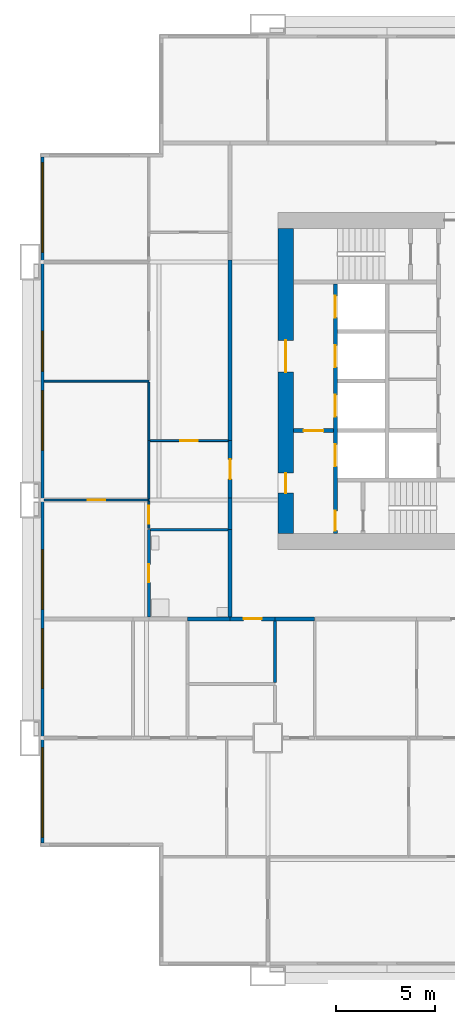
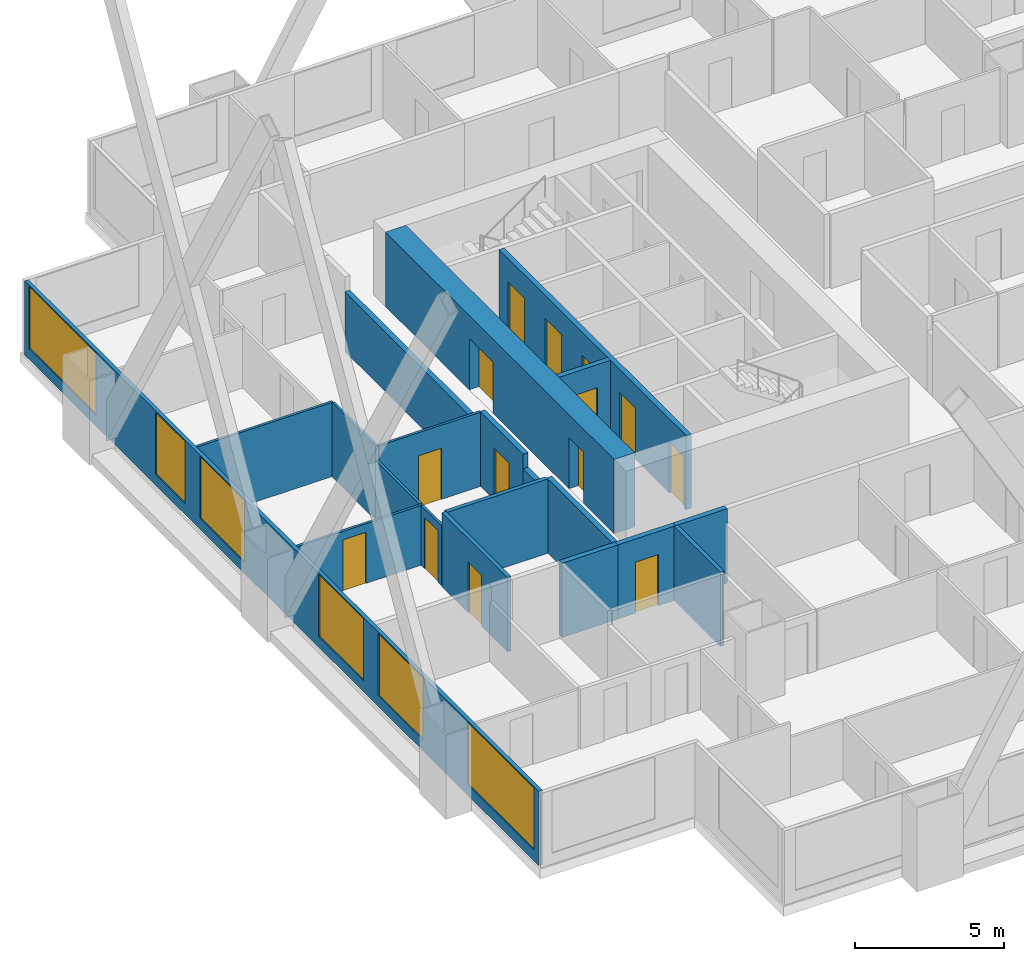
# One storey, part 3 of 13: 20 walls, 14 doors, 6 windows, 20 openings.
"""IFC4 building model written with IfcOpenShell, lengths in metres."""

from ifc_helpers import new_model, si_unit, direction, frame, frame_2d, origin, place, context, subcontext, project, spatial, rectangle, extrude, material, layer, layer_set, type_object, element, fill, save


model = new_model("IFC4")

# Units and contexts
model_context = context("Model", 3, precision=1e-05, world=origin(), true_north=direction((0.0, 1.0)))
body_context = subcontext(model_context, "Body", "Model", "MODEL_VIEW")
ifc_project = project(units=[si_unit("LENGTHUNIT", "METRE"), si_unit("AREAUNIT", "SQUARE_METRE"), si_unit("VOLUMEUNIT", "CUBIC_METRE"), si_unit("PLANEANGLEUNIT", "RADIAN"), si_unit("MASSUNIT", "GRAM", prefix="KILO")], contexts=[model_context])

# Site, building, storey
site_placement = place(None, origin())
site = spatial("IfcSite", under=ifc_project, at=site_placement, CompositionType="ELEMENT")
building_placement = place(site_placement, origin())
building = spatial("IfcBuilding", under=site, at=building_placement, Name="Kitamizu Gate Tower and Museum", CompositionType="ELEMENT")
storey_placement = place(building_placement, frame((0.0, 0.0, 50.699951171875)))
storey = spatial("IfcBuildingStorey", under=building, at=storey_placement, Name="L11", CompositionType="ELEMENT", Elevation=50.699951171875)

# Wall, openings, doors
ifc_material_1 = material(Name="Concrete Fc60", Category="concrete")
ifc_layer_1 = layer(ifc_material_1, 0.800048828125)
ifc_layer_set_1 = layer_set([ifc_layer_1], Name="Concrete Fc60")
wall_type_1 = type_object("IfcWallType", Name="Core wall 800", PredefinedType="SHEAR", material=ifc_layer_set_1)
wall_1_placement = place(storey_placement, frame((12.89990234375, 22.300048828125, 0.0), z_axis=(0.0, 0.0, 1.0), x_axis=(0.0, 1.0, 0.0)))
wall_1 = element("IfcWall", 1, at=wall_1_placement, inside=storey, type_object=wall_type_1, Name="Core wall WOUT", PredefinedType="SHEAR", context=body_context, shape_type="SweptSolid", body=[
    extrude(rectangle(XDim=15.39990234375, YDim=0.800048828125, at=frame_2d((7.699951171875, 0.0))), origin(), (0.0, 0.0, 1.0), 3.050048828125),
])
opening_1_placement = place(wall_1_placement, frame((8.14990234375, 0.0, 0.0)))
opening_1 = element("IfcOpeningElement", 2, at=opening_1_placement, cuts=wall_1, Name="Opening L11-081", PredefinedType="OPENING", context=body_context, shape_type="SweptSolid", body=[
    extrude(rectangle(XDim=1.60009765625, YDim=2.10009765625, at=frame_2d((0.800048828125, 1.050048828125))), frame((0.0, 0.41015625, 0.0), z_axis=(0.0, -1.0, 0.0), x_axis=(1.0, 0.0, 0.0)), (0.0, 0.0, 1.0), 0.820068359375),
])
opening_2_placement = place(wall_1_placement, frame((2.050048828125, 0.0, 0.0)))
opening_2 = element("IfcOpeningElement", 3, at=opening_2_placement, cuts=wall_1, Name="Opening L11-082", PredefinedType="OPENING", context=body_context, shape_type="SweptSolid", body=[
    extrude(rectangle(XDim=1.0, YDim=2.10009765625, at=frame_2d((0.5, 1.050048828125))), frame((0.0, 0.41015625, 0.0), z_axis=(0.0, -1.0, 0.0), x_axis=(1.0, 0.0, 0.0)), (0.0, 0.0, 1.0), 0.820068359375),
])
ifc_material_2 = material(Name="Timber door set", Category="wood")
door_type_1 = type_object("IfcDoorType", Name="Entrance door 1600", OperationType="DOUBLE_DOOR_SINGLE_SWING", PredefinedType="DOOR", material=ifc_material_2)
door_1_placement = place(opening_1_placement, origin())
door_1 = element("IfcDoor", 4, at=door_1_placement, inside=storey, type_object=door_type_1, Name="Lobby door L11-081", OperationType="DOUBLE_DOOR_SINGLE_SWING", OverallHeight=2.10009765625, OverallWidth=1.60009765625, PredefinedType="DOOR", context=body_context, shape_type="SweptSolid", body=[
    extrude(rectangle(XDim=1.60009765625, YDim=2.10009765625, at=frame_2d((0.800048828125, 1.050048828125))), frame((0.0, 0.02490234375, 0.0), z_axis=(0.0, -1.0, 0.0), x_axis=(1.0, 0.0, 0.0)), (0.0, 0.0, 1.0), 0.050048828125),
])
fill(opening_1, door_1)
ifc_material_3 = material(Name="Hollow metal door set")
door_type_2 = type_object("IfcDoorType", Name="Fire door 1000", OperationType="NOTDEFINED", PredefinedType="DOOR", material=ifc_material_3)
door_2_placement = place(opening_2_placement, frame((1.0, 0.0, 0.0), x_axis=(-1.0, 0.0, 0.0)))
door_2 = element("IfcDoor", 5, at=door_2_placement, inside=storey, type_object=door_type_2, Name="Fire-fighting lobby door L11-082", OperationType="SINGLE_SWING_RIGHT", OverallHeight=2.10009765625, OverallWidth=1.0, PredefinedType="DOOR", context=body_context, shape_type="SweptSolid", body=[
    extrude(rectangle(XDim=1.0, YDim=2.10009765625, at=frame_2d((0.5, 1.050048828125))), frame((0.0, 0.02490234375, 0.0), z_axis=(0.0, -1.0, 0.0), x_axis=(1.0, 0.0, 0.0)), (0.0, 0.0, 1.0), 0.050048828125),
])
fill(opening_2, door_2)

# Wall, opening, door
ifc_material_4 = material(Name="Gypsum board on galvanised stud")
ifc_layer_2 = layer(ifc_material_4, 0.10009765625)
ifc_layer_set_2 = layer_set([ifc_layer_2], Name="Gypsum board on galvanised stud")
wall_type_2 = type_object("IfcWallType", Name="Partition 100 NOT RATED", PredefinedType="PARTITIONING", material=ifc_layer_set_2)
wall_2_placement = place(storey_placement, frame((6.0, 24.0, 0.0), z_axis=(0.0, 0.0, 1.0), x_axis=(-1.0, 0.0, 0.0)))
wall_2 = element("IfcWall", 6, at=wall_2_placement, inside=storey, type_object=wall_type_2, Name="Partition L11-156", PredefinedType="PARTITIONING", context=body_context, shape_type="SweptSolid", body=[
    extrude(rectangle(XDim=5.280029296875, YDim=0.10009765625, at=frame_2d((2.64013671875, 0.0))), origin(), (0.0, 0.0, 1.0), 2.449951171875),
])
opening_3_placement = place(wall_2_placement, frame((2.18994140625, 0.0, 0.0)))
opening_3 = element("IfcOpeningElement", 7, at=opening_3_placement, cuts=wall_2, Name="Opening L11-061", PredefinedType="OPENING", context=body_context, shape_type="SweptSolid", body=[
    extrude(rectangle(XDim=0.89990234375, YDim=2.10009765625, at=frame_2d((0.449951171875, 1.050048828125))), frame((0.0, 0.06005859375, 0.0), z_axis=(0.0, -1.0, 0.0), x_axis=(1.0, 0.0, 0.0)), (0.0, 0.0, 1.0), 0.1201171875),
])
ifc_material_5 = material(Name="Timber door set", Category="wood")
door_type_3 = type_object("IfcDoorType", Name="Room door 900", OperationType="NOTDEFINED", PredefinedType="DOOR", material=ifc_material_5)
door_3_placement = place(opening_3_placement, origin())
door_3 = element("IfcDoor", 8, at=door_3_placement, inside=storey, type_object=door_type_3, Name="Door L11-061", OperationType="SINGLE_SWING_LEFT", OverallHeight=2.10009765625, OverallWidth=0.89990234375, PredefinedType="DOOR", context=body_context, shape_type="SweptSolid", body=[
    extrude(rectangle(XDim=0.89990234375, YDim=2.10009765625, at=frame_2d((0.449951171875, 1.050048828125))), frame((0.0, 0.02490234375, 0.0), z_axis=(0.0, -1.0, 0.0), x_axis=(1.0, 0.0, 0.0)), (0.0, 0.0, 1.0), 0.050048828125),
])
fill(opening_3, door_3)

wall_3_placement = place(storey_placement, frame((6.0, 22.574951171875, 0.0), z_axis=(0.0, 0.0, 1.0), x_axis=(0.0, 1.0, 0.0)))
wall_3 = element("IfcWall", 9, at=wall_3_placement, inside=storey, type_object=wall_type_2, Name="Partition L11-158", PredefinedType="PARTITIONING", context=body_context, shape_type="SweptSolid", body=[
    extrude(rectangle(XDim=1.375, YDim=0.10009765625, at=frame_2d((0.6875, 0.0))), origin(), (0.0, 0.0, 1.0), 2.449951171875),
])
opening_4_placement = place(wall_3_placement, frame((0.237548828125, 0.0, 0.0)))
opening_4 = element("IfcOpeningElement", 10, at=opening_4_placement, cuts=wall_3, Name="Opening L11-056", PredefinedType="OPENING", context=body_context, shape_type="SweptSolid", body=[
    extrude(rectangle(XDim=0.89990234375, YDim=2.10009765625, at=frame_2d((0.449951171875, 1.050048828125))), frame((0.0, 0.06005859375, 0.0), z_axis=(0.0, -1.0, 0.0), x_axis=(1.0, 0.0, 0.0)), (0.0, 0.0, 1.0), 0.1201171875),
])
door_4_placement = place(opening_4_placement, origin())
door_4 = element("IfcDoor", 11, at=door_4_placement, inside=storey, type_object=door_type_3, Name="Door L11-056", OperationType="SINGLE_SWING_LEFT", OverallHeight=2.10009765625, OverallWidth=0.89990234375, PredefinedType="DOOR", context=body_context, shape_type="SweptSolid", body=[
    extrude(rectangle(XDim=0.89990234375, YDim=2.10009765625, at=frame_2d((0.449951171875, 1.050048828125))), frame((0.0, 0.02490234375, 0.0), z_axis=(0.0, -1.0, 0.0), x_axis=(1.0, 0.0, 0.0)), (0.0, 0.0, 1.0), 0.050048828125),
])
fill(opening_4, door_4)

# Walls
wall_4_placement = place(storey_placement, frame((6.0, 30.0, 0.0), z_axis=(0.0, 0.0, 1.0), x_axis=(-1.0, 0.0, 0.0)))
element("IfcWall", 12, at=wall_4_placement, inside=storey, type_object=wall_type_2, Name="Partition L11-159", PredefinedType="PARTITIONING", context=body_context, shape_type="SweptSolid", body=[
    extrude(rectangle(XDim=5.280029296875, YDim=0.10009765625, at=frame_2d((2.64013671875, 0.0))), origin(), (0.0, 0.0, 1.0), 3.050048828125),
])
wall_5_placement = place(storey_placement, frame((6.0, 24.050048828125, 0.0), z_axis=(0.0, 0.0, 1.0), x_axis=(0.0, 1.0, 0.0)))
element("IfcWall", 13, at=wall_5_placement, inside=storey, type_object=wall_type_2, Name="Partition L11-160", PredefinedType="PARTITIONING", context=body_context, shape_type="SweptSolid", body=[
    extrude(rectangle(XDim=2.949951171875, YDim=0.10009765625, at=frame_2d((1.47509765625, 0.0))), origin(), (0.0, 0.0, 1.0), 2.449951171875),
])
wall_6_placement = place(storey_placement, frame((6.0, 27.0, 0.0), z_axis=(0.0, 0.0, 1.0), x_axis=(0.0, 1.0, 0.0)))
element("IfcWall", 14, at=wall_6_placement, inside=storey, type_object=wall_type_2, Name="Partition L11-161", PredefinedType="PARTITIONING", context=body_context, shape_type="SweptSolid", body=[
    extrude(rectangle(XDim=2.949951171875, YDim=0.10009765625, at=frame_2d((1.47509765625, 0.0))), origin(), (0.0, 0.0, 1.0), 3.050048828125),
])

# Wall, opening, door
wall_7_placement = place(storey_placement, frame((10.0, 27.0, 0.0), z_axis=(0.0, 0.0, 1.0), x_axis=(-1.0, 0.0, 0.0)))
wall_7 = element("IfcWall", 15, at=wall_7_placement, inside=storey, type_object=wall_type_2, Name="Partition L11-168", PredefinedType="PARTITIONING", context=body_context, shape_type="SweptSolid", body=[
    extrude(rectangle(XDim=3.949951171875, YDim=0.10009765625, at=frame_2d((1.97509765625, 0.0))), origin(), (0.0, 0.0, 1.0), 3.050048828125),
])
opening_5_placement = place(wall_7_placement, frame((1.52490234375, 0.0, 0.0)))
opening_5 = element("IfcOpeningElement", 16, at=opening_5_placement, cuts=wall_7, Name="Opening L11-057", PredefinedType="OPENING", context=body_context, shape_type="SweptSolid", body=[
    extrude(rectangle(XDim=0.89990234375, YDim=2.10009765625, at=frame_2d((0.449951171875, 1.050048828125))), frame((0.0, 0.06005859375, 0.0), z_axis=(0.0, -1.0, 0.0), x_axis=(1.0, 0.0, 0.0)), (0.0, 0.0, 1.0), 0.1201171875),
])
door_5_placement = place(opening_5_placement, origin())
door_5 = element("IfcDoor", 17, at=door_5_placement, inside=storey, type_object=door_type_3, Name="Door L11-057", OperationType="SINGLE_SWING_RIGHT", OverallHeight=2.10009765625, OverallWidth=0.89990234375, PredefinedType="DOOR", context=body_context, shape_type="SweptSolid", body=[
    extrude(rectangle(XDim=0.89990234375, YDim=2.10009765625, at=frame_2d((0.449951171875, 1.050048828125))), frame((0.0, 0.02490234375, 0.0), z_axis=(0.0, -1.0, 0.0), x_axis=(1.0, 0.0, 0.0)), (0.0, 0.0, 1.0), 0.050048828125),
])
fill(opening_5, door_5)

# Wall
ifc_material_6 = material(Name="Gypsum board on galvanised stud")
ifc_layer_3 = layer(ifc_material_6, 0.14990234375)
ifc_layer_set_3 = layer_set([ifc_layer_3], Name="Gypsum board on galvanised stud")
wall_type_3 = type_object("IfcWallType", Name="Partition 150", PredefinedType="PARTITIONING", material=ifc_layer_set_3)
wall_8_placement = place(storey_placement, frame((12.364013671875, 14.787109375, 0.0), z_axis=(0.0, 0.0, 1.0), x_axis=(0.0, 1.0, 0.0)))
element("IfcWall", 18, at=wall_8_placement, inside=storey, type_object=wall_type_3, Name="Partition L11-044", PredefinedType="PARTITIONING", context=body_context, shape_type="SweptSolid", body=[
    extrude(rectangle(XDim=3.11279296875, YDim=0.14990234375, at=frame_2d((1.556396484375, 0.0))), origin(), (0.0, 0.0, 1.0), 3.050048828125),
])

# Wall, opening, door
wall_9_placement = place(storey_placement, frame((6.0, 18.10009765625, 0.0), z_axis=(0.0, 0.0, 1.0), x_axis=(0.0, 1.0, 0.0)))
wall_9 = element("IfcWall", 19, at=wall_9_placement, inside=storey, type_object=wall_type_3, Name="Partition L11-157", PredefinedType="PARTITIONING", context=body_context, shape_type="SweptSolid", body=[
    extrude(rectangle(XDim=4.39990234375, YDim=0.14990234375, at=frame_2d((2.199951171875, 0.0))), origin(), (0.0, 0.0, 1.0), 3.050048828125),
])
opening_6_placement = place(wall_9_placement, frame((1.75, 0.0, 0.0)))
opening_6 = element("IfcOpeningElement", 20, at=opening_6_placement, cuts=wall_9, Name="Opening L11-060", PredefinedType="OPENING", context=body_context, shape_type="SweptSolid", body=[
    extrude(rectangle(XDim=0.89990234375, YDim=2.10009765625, at=frame_2d((0.449951171875, 1.050048828125))), frame((0.0, 0.0849609375, 0.0), z_axis=(0.0, -1.0, 0.0), x_axis=(1.0, 0.0, 0.0)), (0.0, 0.0, 1.0), 0.169921875),
])
ifc_material_7 = material(Name="Timber door set", Category="wood")
door_type_4 = type_object("IfcDoorType", Name="Bathroom door 900", OperationType="NOTDEFINED", PredefinedType="DOOR", material=ifc_material_7)
door_6_placement = place(opening_6_placement, frame((0.89990234375, 0.0, 0.0), x_axis=(-1.0, 0.0, 0.0)))
door_6 = element("IfcDoor", 21, at=door_6_placement, inside=storey, type_object=door_type_4, Name="Bathroom door L11-060", OperationType="SINGLE_SWING_LEFT", OverallHeight=2.10009765625, OverallWidth=0.89990234375, PredefinedType="DOOR", context=body_context, shape_type="SweptSolid", body=[
    extrude(rectangle(XDim=0.89990234375, YDim=2.10009765625, at=frame_2d((0.449951171875, 1.050048828125))), frame((0.0, 0.02490234375, 0.0), z_axis=(0.0, -1.0, 0.0), x_axis=(1.0, 0.0, 0.0)), (0.0, 0.0, 1.0), 0.050048828125),
])
fill(opening_6, door_6)

# Walls
wall_10_placement = place(storey_placement, frame((10.0, 22.5, 0.0), z_axis=(0.0, 0.0, 1.0), x_axis=(-1.0, 0.0, 0.0)))
element("IfcWall", 22, at=wall_10_placement, inside=storey, type_object=wall_type_3, Name="Partition L11-166", PredefinedType="PARTITIONING", context=body_context, shape_type="SweptSolid", body=[
    extrude(rectangle(XDim=3.925048828125, YDim=0.14990234375, at=frame_2d((1.96240234375, 0.0))), origin(), (0.0, 0.0, 1.0), 3.050048828125),
])
ifc_material_8 = material(Name="Gypsum board on galvanised stud")
ifc_layer_4 = layer(ifc_material_8, 0.199951171875)
ifc_layer_set_4 = layer_set([ifc_layer_4], Name="Gypsum board on galvanised stud")
wall_type_4 = type_object("IfcWallType", Name="Partition 200", PredefinedType="PARTITIONING", material=ifc_layer_set_4)
wall_11_placement = place(storey_placement, frame((10.10009765625, 18.0, 0.0), z_axis=(0.0, 0.0, 1.0), x_axis=(-1.0, 0.0, 0.0)))
element("IfcWall", 23, at=wall_11_placement, inside=storey, type_object=wall_type_4, Name="Partition L11-045", PredefinedType="PARTITIONING", context=body_context, shape_type="SweptSolid", body=[
    extrude(rectangle(XDim=2.1611328125, YDim=0.199951171875, at=frame_2d((1.08056640625, 0.0))), origin(), (0.0, 0.0, 1.0), 3.050048828125),
])

# Wall, opening, door
wall_12_placement = place(storey_placement, frame((12.364013671875, 18.0, 0.0), z_axis=(0.0, 0.0, 1.0), x_axis=(-1.0, 0.0, 0.0)))
wall_12 = element("IfcWall", 24, at=wall_12_placement, inside=storey, type_object=wall_type_4, Name="Partition L11-046", PredefinedType="PARTITIONING", context=body_context, shape_type="SweptSolid", body=[
    extrude(rectangle(XDim=2.263916015625, YDim=0.199951171875, at=frame_2d((1.1318359375, 0.0))), origin(), (0.0, 0.0, 1.0), 3.050048828125),
])
opening_7_placement = place(wall_12_placement, frame((0.681884765625, 0.0, 0.0)))
opening_7 = element("IfcOpeningElement", 25, at=opening_7_placement, cuts=wall_12, Name="Opening L11-020", PredefinedType="OPENING", context=body_context, shape_type="SweptSolid", body=[
    extrude(rectangle(XDim=0.89990234375, YDim=2.10009765625, at=frame_2d((0.449951171875, 1.050048828125))), frame((0.0, 0.10986328125, 0.0), z_axis=(0.0, -1.0, 0.0), x_axis=(1.0, 0.0, 0.0)), (0.0, 0.0, 1.0), 0.219970703125),
])
ifc_material_9 = material(Name="Timber door set", Category="wood")
door_type_5 = type_object("IfcDoorType", Name="Store door 900", OperationType="NOTDEFINED", PredefinedType="DOOR", material=ifc_material_9)
door_7_placement = place(opening_7_placement, origin())
door_7 = element("IfcDoor", 26, at=door_7_placement, inside=storey, type_object=door_type_5, Name="Service entrance door L11-020", OperationType="SINGLE_SWING_RIGHT", OverallHeight=2.10009765625, OverallWidth=0.89990234375, PredefinedType="DOOR", context=body_context, shape_type="SweptSolid", body=[
    extrude(rectangle(XDim=0.89990234375, YDim=2.10009765625, at=frame_2d((0.449951171875, 1.050048828125))), frame((0.0, 0.02490234375, 0.0), z_axis=(0.0, -1.0, 0.0), x_axis=(1.0, 0.0, 0.0)), (0.0, 0.0, 1.0), 0.050048828125),
])
fill(opening_7, door_7)

# Walls
wall_13_placement = place(storey_placement, frame((14.364013671875, 18.0, 0.0), z_axis=(0.0, 0.0, 1.0), x_axis=(-1.0, 0.0, 0.0)))
element("IfcWall", 27, at=wall_13_placement, inside=storey, type_object=wall_type_4, Name="Partition L11-048", PredefinedType="PARTITIONING", context=body_context, shape_type="SweptSolid", body=[
    extrude(rectangle(XDim=2.0, YDim=0.199951171875, at=frame_2d((1.0, 0.0))), origin(), (0.0, 0.0, 1.0), 3.050048828125),
])
wall_14_placement = place(storey_placement, frame((10.10009765625, 18.10009765625, 0.0), z_axis=(0.0, 0.0, 1.0), x_axis=(0.0, 1.0, 0.0)))
element("IfcWall", 28, at=wall_14_placement, inside=storey, type_object=wall_type_4, Name="Partition L11-167", PredefinedType="PARTITIONING", context=body_context, shape_type="SweptSolid", body=[
    extrude(rectangle(XDim=4.39990234375, YDim=0.199951171875, at=frame_2d((2.199951171875, 0.0))), origin(), (0.0, 0.0, 1.0), 3.050048828125),
])
wall_15_placement = place(storey_placement, frame((10.10009765625, 22.5, 0.0), z_axis=(0.0, 0.0, 1.0), x_axis=(0.0, 1.0, 0.0)))
element("IfcWall", 29, at=wall_15_placement, inside=storey, type_object=wall_type_4, Name="Partition L11-169", PredefinedType="PARTITIONING", context=body_context, shape_type="SweptSolid", body=[
    extrude(rectangle(XDim=1.60009765625, YDim=0.199951171875, at=frame_2d((0.800048828125, 0.0))), origin(), (0.0, 0.0, 1.0), 2.449951171875),
])

# Wall, opening, door
wall_16_placement = place(storey_placement, frame((10.10009765625, 24.10009765625, 0.0), z_axis=(0.0, 0.0, 1.0), x_axis=(0.0, 1.0, 0.0)))
wall_16 = element("IfcWall", 30, at=wall_16_placement, inside=storey, type_object=wall_type_4, Name="Partition L11-170", PredefinedType="PARTITIONING", context=body_context, shape_type="SweptSolid", body=[
    extrude(rectangle(XDim=2.89990234375, YDim=0.199951171875, at=frame_2d((1.449951171875, 0.0))), origin(), (0.0, 0.0, 1.0), 3.050048828125),
])
opening_8_placement = place(wall_16_placement, frame((0.949951171875, 0.0, 0.0)))
opening_8 = element("IfcOpeningElement", 31, at=opening_8_placement, cuts=wall_16, Name="Opening L11-055", PredefinedType="OPENING", context=body_context, shape_type="SweptSolid", body=[
    extrude(rectangle(XDim=1.0, YDim=2.10009765625, at=frame_2d((0.5, 1.050048828125))), frame((0.0, 0.10986328125, 0.0), z_axis=(0.0, -1.0, 0.0), x_axis=(1.0, 0.0, 0.0)), (0.0, 0.0, 1.0), 0.219970703125),
])
ifc_material_10 = material(Name="Timber door set", Category="wood")
door_type_6 = type_object("IfcDoorType", Name="Flat entrance door 1000", OperationType="NOTDEFINED", PredefinedType="DOOR", material=ifc_material_10)
door_8_placement = place(opening_8_placement, origin())
door_8 = element("IfcDoor", 32, at=door_8_placement, inside=storey, type_object=door_type_6, Name="Flat entrance door L11-055", OperationType="SINGLE_SWING_LEFT", OverallHeight=2.10009765625, OverallWidth=1.0, PredefinedType="DOOR", context=body_context, shape_type="SweptSolid", body=[
    extrude(rectangle(XDim=1.0, YDim=2.10009765625, at=frame_2d((0.5, 1.050048828125))), frame((0.0, 0.02490234375, 0.0), z_axis=(0.0, -1.0, 0.0), x_axis=(1.0, 0.0, 0.0)), (0.0, 0.0, 1.0), 0.050048828125),
])
fill(opening_8, door_8)

# Wall
wall_17_placement = place(storey_placement, frame((10.10009765625, 27.0, 0.0), z_axis=(0.0, 0.0, 1.0), x_axis=(0.0, 1.0, 0.0)))
element("IfcWall", 33, at=wall_17_placement, inside=storey, type_object=wall_type_4, Name="Partition L11-172", PredefinedType="PARTITIONING", context=body_context, shape_type="SweptSolid", body=[
    extrude(rectangle(XDim=9.10009765625, YDim=0.199951171875, at=frame_2d((4.550048828125, 0.0))), origin(), (0.0, 0.0, 1.0), 2.449951171875),
])

# Wall, openings, doors
ifc_material_11 = material(Name="Concrete Fc42", Category="concrete")
ifc_layer_5 = layer(ifc_material_11, 0.199951171875)
ifc_layer_set_5 = layer_set([ifc_layer_5], Name="Concrete Fc42")
wall_type_5 = type_object("IfcWallType", Name="Shaft wall 200", PredefinedType="SOLIDWALL", material=ifc_layer_set_5)
wall_18_placement = place(storey_placement, frame((15.39990234375, 22.300048828125, 0.0), z_axis=(0.0, 0.0, 1.0), x_axis=(0.0, 1.0, 0.0)))
wall_18 = element("IfcWall", 34, at=wall_18_placement, inside=storey, type_object=wall_type_5, Name="Shaft wall WWEST", PredefinedType="SOLIDWALL", context=body_context, shape_type="SweptSolid", body=[
    extrude(rectangle(XDim=12.599853515625, YDim=0.199951171875, at=frame_2d((6.2998046875, 0.0))), origin(), (0.0, 0.0, 1.0), 3.050048828125),
])
opening_9_placement = place(wall_18_placement, frame((3.39990234375, 0.0, 0.0)))
opening_9 = element("IfcOpeningElement", 35, at=opening_9_placement, cuts=wall_18, Name="Opening LD", PredefinedType="OPENING", context=body_context, shape_type="SweptSolid", body=[
    extrude(rectangle(XDim=1.10009765625, YDim=2.10009765625, at=frame_2d((0.550048828125, 1.050048828125))), frame((0.0, 0.10986328125, 0.0), z_axis=(0.0, -1.0, 0.0), x_axis=(1.0, 0.0, 0.0)), (0.0, 0.0, 1.0), 0.219970703125),
])
opening_10_placement = place(wall_18_placement, frame((5.89990234375, 0.0, 0.0)))
opening_10 = element("IfcOpeningElement", 36, at=opening_10_placement, cuts=wall_18, Name="Opening LD", PredefinedType="OPENING", context=body_context, shape_type="SweptSolid", body=[
    extrude(rectangle(XDim=1.10009765625, YDim=2.10009765625, at=frame_2d((0.550048828125, 1.050048828125))), frame((0.0, 0.10986328125, 0.0), z_axis=(0.0, -1.0, 0.0), x_axis=(1.0, 0.0, 0.0)), (0.0, 0.0, 1.0), 0.219970703125),
])
opening_11_placement = place(wall_18_placement, frame((8.39990234375, 0.0, 0.0)))
opening_11 = element("IfcOpeningElement", 37, at=opening_11_placement, cuts=wall_18, Name="Opening LD", PredefinedType="OPENING", context=body_context, shape_type="SweptSolid", body=[
    extrude(rectangle(XDim=1.10009765625, YDim=2.10009765625, at=frame_2d((0.550048828125, 1.050048828125))), frame((0.0, 0.10986328125, 0.0), z_axis=(0.0, -1.0, 0.0), x_axis=(1.0, 0.0, 0.0)), (0.0, 0.0, 1.0), 0.219970703125),
])
opening_12_placement = place(wall_18_placement, frame((10.89990234375, 0.0, 0.0)))
opening_12 = element("IfcOpeningElement", 38, at=opening_12_placement, cuts=wall_18, Name="Opening LD", PredefinedType="OPENING", context=body_context, shape_type="SweptSolid", body=[
    extrude(rectangle(XDim=1.10009765625, YDim=2.10009765625, at=frame_2d((0.550048828125, 1.050048828125))), frame((0.0, 0.10986328125, 0.0), z_axis=(0.0, -1.0, 0.0), x_axis=(1.0, 0.0, 0.0)), (0.0, 0.0, 1.0), 0.219970703125),
])
opening_13_placement = place(wall_18_placement, frame((0.14990234375, 0.0, 0.0)))
opening_13 = element("IfcOpeningElement", 39, at=opening_13_placement, cuts=wall_18, Name="Opening L11-077", PredefinedType="OPENING", context=body_context, shape_type="SweptSolid", body=[
    extrude(rectangle(XDim=1.0, YDim=2.10009765625, at=frame_2d((0.5, 1.050048828125))), frame((0.0, 0.10986328125, 0.0), z_axis=(0.0, -1.0, 0.0), x_axis=(1.0, 0.0, 0.0)), (0.0, 0.0, 1.0), 0.219970703125),
])
door_9_placement = place(opening_13_placement, frame((1.0, 0.0, 0.0), x_axis=(-1.0, 0.0, 0.0)))
door_9 = element("IfcDoor", 40, at=door_9_placement, inside=storey, type_object=door_type_2, Name="Stair lobby door L11-077", OperationType="SINGLE_SWING_LEFT", OverallHeight=2.10009765625, OverallWidth=1.0, PredefinedType="DOOR", context=body_context, shape_type="SweptSolid", body=[
    extrude(rectangle(XDim=1.0, YDim=2.10009765625, at=frame_2d((0.5, 1.050048828125))), frame((0.0, 0.02490234375, 0.0), z_axis=(0.0, -1.0, 0.0), x_axis=(1.0, 0.0, 0.0)), (0.0, 0.0, 1.0), 0.050048828125),
])
fill(opening_13, door_9)
ifc_material_12 = material(Name="Hollow metal door set")
door_type_7 = type_object("IfcDoorType", Name="Landing door 1100", OperationType="SLIDING_TO_LEFT", PredefinedType="DOOR", material=ifc_material_12)
door_10_placement = place(opening_9_placement, origin())
door_10 = element("IfcDoor", 41, at=door_10_placement, inside=storey, type_object=door_type_7, Name="Landing door WFF1", OperationType="SLIDING_TO_LEFT", OverallHeight=2.10009765625, OverallWidth=1.10009765625, PredefinedType="DOOR", context=body_context, shape_type="SweptSolid", body=[
    extrude(rectangle(XDim=1.10009765625, YDim=2.10009765625, at=frame_2d((0.550048828125, 1.050048828125))), frame((0.0, 0.02490234375, 0.0), z_axis=(0.0, -1.0, 0.0), x_axis=(1.0, 0.0, 0.0)), (0.0, 0.0, 1.0), 0.050048828125),
])
fill(opening_9, door_10)
door_11_placement = place(opening_10_placement, origin())
door_11 = element("IfcDoor", 42, at=door_11_placement, inside=storey, type_object=door_type_7, Name="Landing door WL1", OperationType="SLIDING_TO_LEFT", OverallHeight=2.10009765625, OverallWidth=1.10009765625, PredefinedType="DOOR", context=body_context, shape_type="SweptSolid", body=[
    extrude(rectangle(XDim=1.10009765625, YDim=2.10009765625, at=frame_2d((0.550048828125, 1.050048828125))), frame((0.0, 0.02490234375, 0.0), z_axis=(0.0, -1.0, 0.0), x_axis=(1.0, 0.0, 0.0)), (0.0, 0.0, 1.0), 0.050048828125),
])
fill(opening_10, door_11)
door_12_placement = place(opening_11_placement, origin())
door_12 = element("IfcDoor", 43, at=door_12_placement, inside=storey, type_object=door_type_7, Name="Landing door WL2", OperationType="SLIDING_TO_LEFT", OverallHeight=2.10009765625, OverallWidth=1.10009765625, PredefinedType="DOOR", context=body_context, shape_type="SweptSolid", body=[
    extrude(rectangle(XDim=1.10009765625, YDim=2.10009765625, at=frame_2d((0.550048828125, 1.050048828125))), frame((0.0, 0.02490234375, 0.0), z_axis=(0.0, -1.0, 0.0), x_axis=(1.0, 0.0, 0.0)), (0.0, 0.0, 1.0), 0.050048828125),
])
fill(opening_11, door_12)
door_13_placement = place(opening_12_placement, origin())
door_13 = element("IfcDoor", 44, at=door_13_placement, inside=storey, type_object=door_type_7, Name="Landing door WL3", OperationType="SLIDING_TO_LEFT", OverallHeight=2.10009765625, OverallWidth=1.10009765625, PredefinedType="DOOR", context=body_context, shape_type="SweptSolid", body=[
    extrude(rectangle(XDim=1.10009765625, YDim=2.10009765625, at=frame_2d((0.550048828125, 1.050048828125))), frame((0.0, 0.02490234375, 0.0), z_axis=(0.0, -1.0, 0.0), x_axis=(1.0, 0.0, 0.0)), (0.0, 0.0, 1.0), 0.050048828125),
])
fill(opening_12, door_13)

# Wall, opening, door
wall_19_placement = place(storey_placement, frame((13.300048828125, 27.5, 0.0), z_axis=(0.0, 0.0, 1.0), x_axis=(1.0, 0.0, 0.0)))
wall_19 = element("IfcWall", 45, at=wall_19_placement, inside=storey, type_object=wall_type_5, Name="Shaft wall WFFN", PredefinedType="SOLIDWALL", context=body_context, shape_type="SweptSolid", body=[
    extrude(rectangle(XDim=2.0, YDim=0.199951171875, at=frame_2d((1.0, 0.0))), origin(), (0.0, 0.0, 1.0), 3.050048828125),
])
opening_14_placement = place(wall_19_placement, frame((0.5, 0.0, 0.0)))
opening_14 = element("IfcOpeningElement", 46, at=opening_14_placement, cuts=wall_19, Name="Opening L11-080", PredefinedType="OPENING", context=body_context, shape_type="SweptSolid", body=[
    extrude(rectangle(XDim=1.0, YDim=2.10009765625, at=frame_2d((0.5, 1.050048828125))), frame((0.0, 0.10986328125, 0.0), z_axis=(0.0, -1.0, 0.0), x_axis=(1.0, 0.0, 0.0)), (0.0, 0.0, 1.0), 0.219970703125),
])
door_14_placement = place(opening_14_placement, frame((1.0, 0.0, 0.0), x_axis=(-1.0, 0.0, 0.0)))
door_14 = element("IfcDoor", 47, at=door_14_placement, inside=storey, type_object=door_type_2, Name="Fire-fighting lobby door L11-080", OperationType="SINGLE_SWING_LEFT", OverallHeight=2.10009765625, OverallWidth=1.0, PredefinedType="DOOR", context=body_context, shape_type="SweptSolid", body=[
    extrude(rectangle(XDim=1.0, YDim=2.10009765625, at=frame_2d((0.5, 1.050048828125))), frame((0.0, 0.02490234375, 0.0), z_axis=(0.0, -1.0, 0.0), x_axis=(1.0, 0.0, 0.0)), (0.0, 0.0, 1.0), 0.050048828125),
])
fill(opening_14, door_14)

# Wall, openings, windows
ifc_material_13 = material(Name="Bronze anodised aluminium frame with insulated spandrel and tinted glass", Category="aluminium")
ifc_layer_6 = layer(ifc_material_13, 0.14990234375)
ifc_layer_set_6 = layer_set([ifc_layer_6], Name="Bronze anodised aluminium frame with insulated spandrel and tinted glass")
wall_type_6 = type_object("IfcWallType", Name="WINDOW WALL 150 BRONZE FRAME EI 30", PredefinedType="ELEMENTEDWALL", material=ifc_layer_set_6)
wall_20_placement = place(storey_placement, frame((0.635009765625, 6.7099609375, 0.0), z_axis=(0.0, 0.0, 1.0), x_axis=(0.0, 1.0, 0.0)))
wall_20 = element("IfcWall", 48, at=wall_20_placement, inside=storey, type_object=wall_type_6, Name="Window wall west L11", PredefinedType="ELEMENTEDWALL", context=body_context, shape_type="SweptSolid", body=[
    extrude(rectangle(XDim=34.580078125, YDim=0.14990234375, at=frame_2d((17.2900390625, 0.0))), origin(), (0.0, 0.0, 1.0), 3.050048828125),
])
opening_15_placement = place(wall_20_placement, frame((0.2900390625, 0.0, 0.449951171875)))
opening_15 = element("IfcOpeningElement", 49, at=opening_15_placement, cuts=wall_20, Name="Opening W15", PredefinedType="OPENING", context=body_context, shape_type="SweptSolid", body=[
    extrude(rectangle(XDim=4.5, YDim=2.550048828125, at=frame_2d((2.25, 1.27490234375))), frame((0.0, 0.0849609375, 0.0), z_axis=(0.0, -1.0, 0.0), x_axis=(1.0, 0.0, 0.0)), (0.0, 0.0, 1.0), 0.169921875),
])
opening_16_placement = place(wall_20_placement, frame((7.7900390625, 0.0, 0.449951171875)))
opening_16 = element("IfcOpeningElement", 50, at=opening_16_placement, cuts=wall_20, Name="Opening W33", PredefinedType="OPENING", context=body_context, shape_type="SweptSolid", body=[
    extrude(rectangle(XDim=3.0, YDim=2.550048828125, at=frame_2d((1.5, 1.27490234375))), frame((0.0, 0.0849609375, 0.0), z_axis=(0.0, -1.0, 0.0), x_axis=(1.0, 0.0, 0.0)), (0.0, 0.0, 1.0), 0.169921875),
])
opening_17_placement = place(wall_20_placement, frame((11.7900390625, 0.0, 0.449951171875)))
opening_17 = element("IfcOpeningElement", 51, at=opening_17_placement, cuts=wall_20, Name="Opening W33", PredefinedType="OPENING", context=body_context, shape_type="SweptSolid", body=[
    extrude(rectangle(XDim=3.0, YDim=2.550048828125, at=frame_2d((1.5, 1.27490234375))), frame((0.0, 0.0849609375, 0.0), z_axis=(0.0, -1.0, 0.0), x_axis=(1.0, 0.0, 0.0)), (0.0, 0.0, 1.0), 0.169921875),
])
opening_18_placement = place(wall_20_placement, frame((19.7900390625, 0.0, 0.449951171875)))
opening_18 = element("IfcOpeningElement", 52, at=opening_18_placement, cuts=wall_20, Name="Opening W33", PredefinedType="OPENING", context=body_context, shape_type="SweptSolid", body=[
    extrude(rectangle(XDim=3.0, YDim=2.550048828125, at=frame_2d((1.5, 1.27490234375))), frame((0.0, 0.0849609375, 0.0), z_axis=(0.0, -1.0, 0.0), x_axis=(1.0, 0.0, 0.0)), (0.0, 0.0, 1.0), 0.169921875),
])
opening_19_placement = place(wall_20_placement, frame((23.7900390625, 0.0, 0.449951171875)))
opening_19 = element("IfcOpeningElement", 53, at=opening_19_placement, cuts=wall_20, Name="Opening W2", PredefinedType="OPENING", context=body_context, shape_type="SweptSolid", body=[
    extrude(rectangle(XDim=2.0, YDim=2.550048828125, at=frame_2d((1.0, 1.27490234375))), frame((0.0, 0.0849609375, 0.0), z_axis=(0.0, -1.0, 0.0), x_axis=(1.0, 0.0, 0.0)), (0.0, 0.0, 1.0), 0.169921875),
])
opening_20_placement = place(wall_20_placement, frame((29.7900390625, 0.0, 0.449951171875)))
opening_20 = element("IfcOpeningElement", 54, at=opening_20_placement, cuts=wall_20, Name="Opening W15", PredefinedType="OPENING", context=body_context, shape_type="SweptSolid", body=[
    extrude(rectangle(XDim=4.5, YDim=2.550048828125, at=frame_2d((2.25, 1.27490234375))), frame((0.0, 0.0849609375, 0.0), z_axis=(0.0, -1.0, 0.0), x_axis=(1.0, 0.0, 0.0)), (0.0, 0.0, 1.0), 0.169921875),
])
ifc_material_14 = material(Name="Bronze anodised aluminium frame, tinted triple glazing", Category="aluminium")
window_type_1 = type_object("IfcWindowType", Name="WINDOW 2000 x 2550 SILL 450", PartitioningType="SINGLE_PANEL", PredefinedType="WINDOW", material=ifc_material_14)
window_1_placement = place(opening_19_placement, origin())
window_1 = element("IfcWindow", 55, at=window_1_placement, inside=storey, type_object=window_type_1, Name="Window W2 L11", OverallHeight=2.550048828125, OverallWidth=2.0, PartitioningType="SINGLE_PANEL", PredefinedType="WINDOW", context=body_context, shape_type="SweptSolid", body=[
    extrude(rectangle(XDim=2.0, YDim=2.550048828125, at=frame_2d((1.0, 1.27490234375))), frame((0.0, 0.030029296875, 0.0), z_axis=(0.0, -1.0, 0.0), x_axis=(1.0, 0.0, 0.0)), (0.0, 0.0, 1.0), 0.06005859375),
])
fill(opening_19, window_1)
ifc_material_15 = material(Name="Bronze anodised aluminium frame, tinted triple glazing", Category="aluminium")
window_type_2 = type_object("IfcWindowType", Name="WINDOW 3000 x 2550 SILL 450", PartitioningType="SINGLE_PANEL", PredefinedType="WINDOW", material=ifc_material_15)
window_2_placement = place(opening_16_placement, origin())
window_2 = element("IfcWindow", 56, at=window_2_placement, inside=storey, type_object=window_type_2, Name="Window W33 L11", OverallHeight=2.550048828125, OverallWidth=3.0, PartitioningType="SINGLE_PANEL", PredefinedType="WINDOW", context=body_context, shape_type="SweptSolid", body=[
    extrude(rectangle(XDim=3.0, YDim=2.550048828125, at=frame_2d((1.5, 1.27490234375))), frame((0.0, 0.030029296875, 0.0), z_axis=(0.0, -1.0, 0.0), x_axis=(1.0, 0.0, 0.0)), (0.0, 0.0, 1.0), 0.06005859375),
])
fill(opening_16, window_2)
window_3_placement = place(opening_17_placement, origin())
window_3 = element("IfcWindow", 57, at=window_3_placement, inside=storey, type_object=window_type_2, Name="Window W33 L11", OverallHeight=2.550048828125, OverallWidth=3.0, PartitioningType="SINGLE_PANEL", PredefinedType="WINDOW", context=body_context, shape_type="SweptSolid", body=[
    extrude(rectangle(XDim=3.0, YDim=2.550048828125, at=frame_2d((1.5, 1.27490234375))), frame((0.0, 0.030029296875, 0.0), z_axis=(0.0, -1.0, 0.0), x_axis=(1.0, 0.0, 0.0)), (0.0, 0.0, 1.0), 0.06005859375),
])
fill(opening_17, window_3)
window_4_placement = place(opening_18_placement, origin())
window_4 = element("IfcWindow", 58, at=window_4_placement, inside=storey, type_object=window_type_2, Name="Window W33 L11", OverallHeight=2.550048828125, OverallWidth=3.0, PartitioningType="SINGLE_PANEL", PredefinedType="WINDOW", context=body_context, shape_type="SweptSolid", body=[
    extrude(rectangle(XDim=3.0, YDim=2.550048828125, at=frame_2d((1.5, 1.27490234375))), frame((0.0, 0.030029296875, 0.0), z_axis=(0.0, -1.0, 0.0), x_axis=(1.0, 0.0, 0.0)), (0.0, 0.0, 1.0), 0.06005859375),
])
fill(opening_18, window_4)
ifc_material_16 = material(Name="Bronze anodised aluminium frame, tinted triple glazing", Category="aluminium")
window_type_3 = type_object("IfcWindowType", Name="WINDOW 4500 x 2550 SILL 450", PartitioningType="SINGLE_PANEL", PredefinedType="WINDOW", material=ifc_material_16)
window_5_placement = place(opening_15_placement, origin())
window_5 = element("IfcWindow", 59, at=window_5_placement, inside=storey, type_object=window_type_3, Name="Window W15 L11", OverallHeight=2.550048828125, OverallWidth=4.5, PartitioningType="SINGLE_PANEL", PredefinedType="WINDOW", context=body_context, shape_type="SweptSolid", body=[
    extrude(rectangle(XDim=4.5, YDim=2.550048828125, at=frame_2d((2.25, 1.27490234375))), frame((0.0, 0.030029296875, 0.0), z_axis=(0.0, -1.0, 0.0), x_axis=(1.0, 0.0, 0.0)), (0.0, 0.0, 1.0), 0.06005859375),
])
fill(opening_15, window_5)
window_6_placement = place(opening_20_placement, origin())
window_6 = element("IfcWindow", 60, at=window_6_placement, inside=storey, type_object=window_type_3, Name="Window W15 L11", OverallHeight=2.550048828125, OverallWidth=4.5, PartitioningType="SINGLE_PANEL", PredefinedType="WINDOW", context=body_context, shape_type="SweptSolid", body=[
    extrude(rectangle(XDim=4.5, YDim=2.550048828125, at=frame_2d((2.25, 1.27490234375))), frame((0.0, 0.030029296875, 0.0), z_axis=(0.0, -1.0, 0.0), x_axis=(1.0, 0.0, 0.0)), (0.0, 0.0, 1.0), 0.06005859375),
])
fill(opening_20, window_6)

save(model, "model.ifc")
